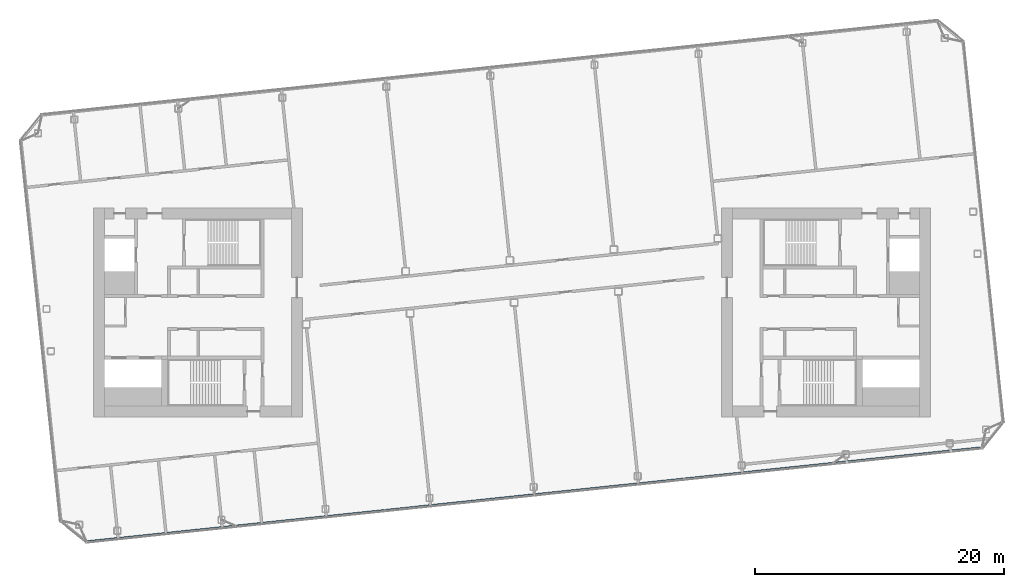
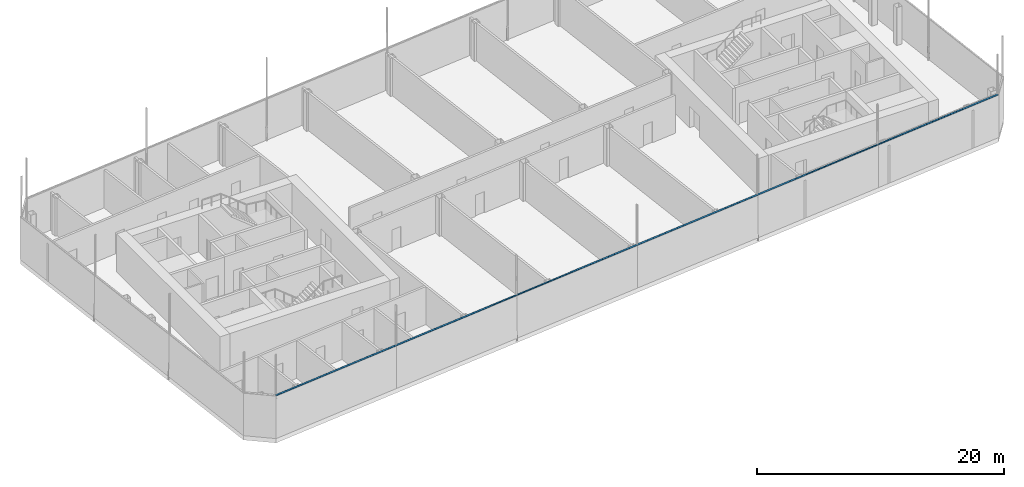
# One storey, part 7 of 41: 1 member, 1 element without a shape of its own.
"""IFC4 building model written with IfcOpenShell, lengths in metres."""

from ifc_helpers import new_model, si_unit, direction, frame, origin, origin_2d, place, context, subcontext, project, spatial, rectangle, extrude, material, layer, layer_set, material_profile, profile_set, type_object, element, aggregate, save


model = new_model("IFC4")

# Units and contexts
model_context = context("Model", 3, precision=1e-05, world=origin(), true_north=direction((0.0, 1.0)))
body_context = subcontext(model_context, "Body", "Model", "MODEL_VIEW")
ifc_project = project(units=[si_unit("LENGTHUNIT", "METRE"), si_unit("AREAUNIT", "SQUARE_METRE"), si_unit("VOLUMEUNIT", "CUBIC_METRE"), si_unit("PLANEANGLEUNIT", "RADIAN"), si_unit("MASSUNIT", "GRAM", prefix="KILO")], contexts=[model_context])

# Site, building, storey
site_placement = place(None, origin())
site = spatial("IfcSite", under=ifc_project, at=site_placement, CompositionType="ELEMENT")
building_placement = place(site_placement, origin())
building = spatial("IfcBuilding", under=site, at=building_placement, Name="Hakoniwa Tower and Hamabe Station Hall", CompositionType="ELEMENT")
storey_placement = place(building_placement, frame((0.0, 0.0, 276.60009765625)))
storey = spatial("IfcBuildingStorey", under=building, at=storey_placement, Name="L77", CompositionType="ELEMENT", Elevation=276.60009765625)

# Curtain wall, member
ifc_material_1 = material(Name="Dark low-e laminated glass", Category="glass")
ifc_layer = layer(ifc_material_1, 0.199951171875)
ifc_layer_set = layer_set([ifc_layer], Name="CW-4 CROWN FACETS")
curtain_wall_type = type_object("IfcCurtainWallType", Name="CW-4 CROWN FACETS", PredefinedType="NOTDEFINED", material=ifc_layer_set)
curtain_wall_placement = place(storey_placement, origin())
curtain_wall = element("IfcCurtainWall", 1, at=curtain_wall_placement, inside=storey, type_object=curtain_wall_type, Name="Crown skirt facet L77", PredefinedType="NOTDEFINED")
ifc_material_2 = material(Name="Aluminium 6063-T5 black anodised", Category="aluminium")
ifc_material_profile = material_profile(ifc_material_2, rectangle(XDim=0.06005859375, YDim=0.1201171875, at=origin_2d()), Name="CW-4 GLAZING BAR 60X120")
ifc_profile_set = profile_set([ifc_material_profile], Name="Aluminium 6063-T5 black anodised")
member_type = type_object("IfcMemberType", Name="CW-4 GLAZING BAR 60X120", PredefinedType="MULLION", material=ifc_profile_set)
member_placement = place(storey_placement, frame((-34.15576171875, -18.394775390625, 4.199951171875), z_axis=(0.994521722165, 0.104530111172, 0.0), x_axis=(0.0, 0.0, 1.0)))
member = element("IfcMember", 2, at=member_placement, type_object=member_type, Name="Crown glazing bar", PredefinedType="MULLION", context=body_context, shape_type="SweptSolid", body=[
    extrude(rectangle(XDim=0.06005859375, YDim=0.1201171875, at=origin_2d()), origin(), (0.0, 0.0, 1.0), 72.305419921875),
])
aggregate(curtain_wall, [member])

save(model, "model.ifc")
